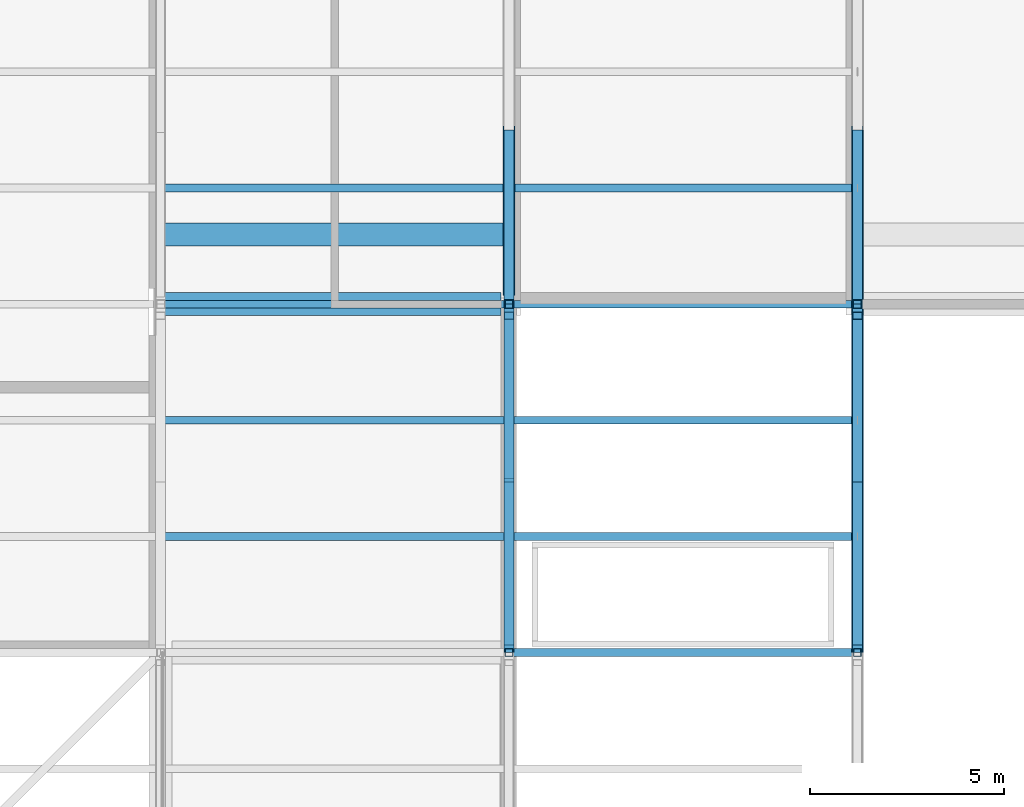
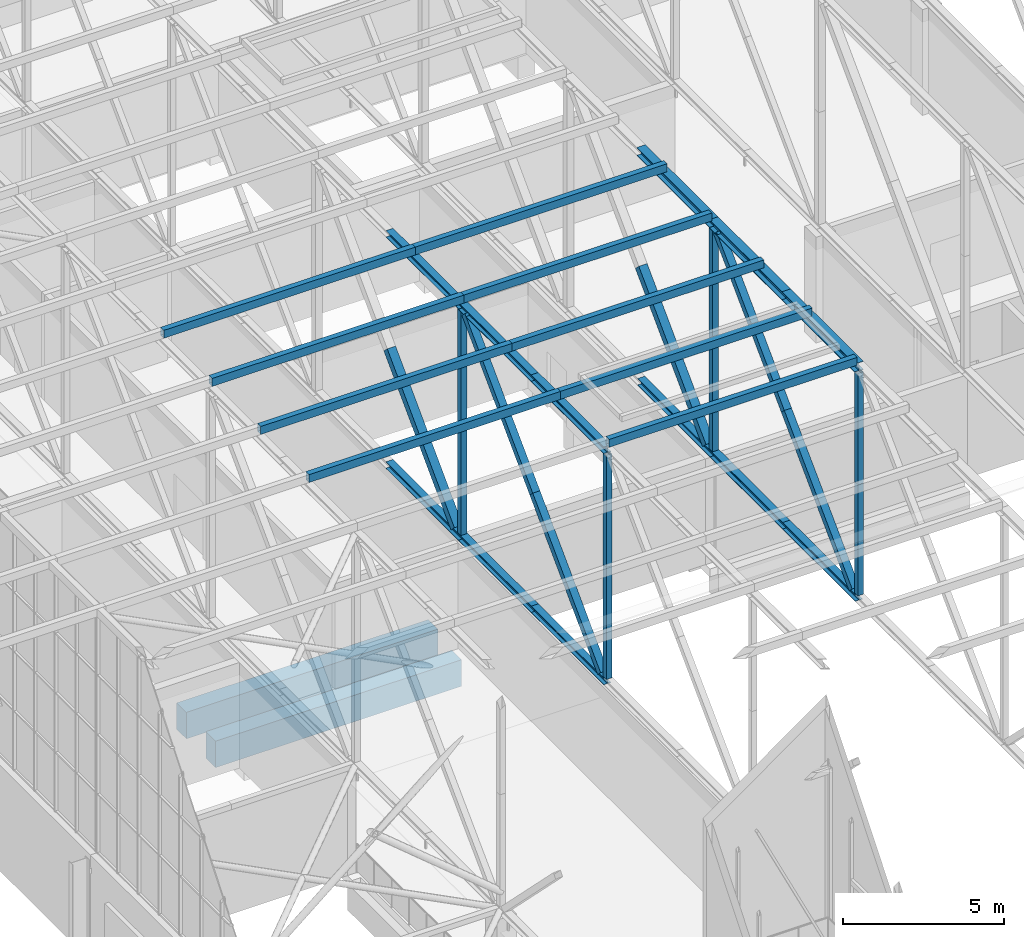
# One storey, part 55 of 646: 35 members, 2 beams.
"""IFC4 building model written with IfcOpenShell, lengths in metres."""

from ifc_helpers import new_model, si_unit, direction, frame, origin, origin_2d, place, context, subcontext, project, spatial, rectangle, hollow_rectangle, i_section, extrude, material, material_profile, profile_set, type_object, element, save


model = new_model("IFC4")

# Units and contexts
model_context = context("Model", 3, precision=1e-05, world=origin(), true_north=direction((0.0, 1.0)))
body_context = subcontext(model_context, "Body", "Model", "MODEL_VIEW")
ifc_project = project(units=[si_unit("LENGTHUNIT", "METRE"), si_unit("AREAUNIT", "SQUARE_METRE"), si_unit("VOLUMEUNIT", "CUBIC_METRE"), si_unit("PLANEANGLEUNIT", "RADIAN"), si_unit("MASSUNIT", "GRAM", prefix="KILO")], contexts=[model_context])

# Site, building, storey
site_placement = place(None, origin())
site = spatial("IfcSite", under=ifc_project, at=site_placement, CompositionType="ELEMENT")
building_placement = place(site_placement, origin())
building = spatial("IfcBuilding", under=site, at=building_placement, Name="Silverbay Arena", CompositionType="ELEMENT")
storey_placement = place(building_placement, frame((0.0, 0.0, 33.5)))
storey = spatial("IfcBuildingStorey", under=building, at=storey_placement, Name="L05", CompositionType="ELEMENT", Elevation=33.5)

# Members
ifc_material_1 = material(Name="Steel S355", Category="steel")
ifc_material_profile_1 = material_profile(ifc_material_1, i_section(OverallWidth=0.2587890625, OverallDepth=0.2666015625, WebThickness=0.0126953125, FlangeThickness=0.0205078125, at=origin_2d()), Name="UC 254x254x107")
ifc_profile_set_1 = profile_set([ifc_material_profile_1], Name="Steel S355")
member_type_1 = type_object("IfcMemberType", Name="Long-span bottom chord UC 254x254x107", PredefinedType="CHORD", material=ifc_profile_set_1)
for number, where, z_axis, x_axis, name in (
    (1, (81.0, 90.0, 4.13330078125), (0.0, 1.0, 0.0), (-1.0, 0.0, 0.0), "ROOF TRUSS 10 bottom chord 10a"),
    (2, (81.0, 94.5, 4.13330078125), (0.0, 1.0, 0.0), (-1.0, 0.0, 0.0), "ROOF TRUSS 10 bottom chord 10b"),
):
    element("IfcMember", number, at=place(storey_placement, frame(where, z_axis=z_axis, x_axis=x_axis)), inside=storey, type_object=member_type_1, Name=name, PredefinedType="CHORD", context=body_context, shape_type="SweptSolid", body=[
        extrude(i_section(OverallWidth=0.2587890625, OverallDepth=0.2666015625, WebThickness=0.0126953125, FlangeThickness=0.0205078125, at=origin_2d()), origin(), (0.0, 0.0, 1.0), 4.5),
    ])
ifc_material_2 = material(Name="Steel S355", Category="steel")
ifc_material_profile_2 = material_profile(ifc_material_2, i_section(OverallWidth=0.254638671875, OverallDepth=0.254150390625, WebThickness=0.008544921875, FlangeThickness=0.01416015625, at=origin_2d()), Name="UC 254x254x73")
ifc_profile_set_2 = profile_set([ifc_material_profile_2], Name="Steel S355")
member_type_2 = type_object("IfcMemberType", Name="Long-span bottom chord UC 254x254x73", PredefinedType="CHORD", material=ifc_profile_set_2)
member_1_placement = place(storey_placement, frame((81.0, 99.0, 4.126953125), z_axis=(0.0, 1.0, 0.0), x_axis=(-1.0, 0.0, 0.0)))
element("IfcMember", 3, at=member_1_placement, inside=storey, type_object=member_type_2, Name="ROOF TRUSS 10 bottom chord 11a", PredefinedType="CHORD", context=body_context, shape_type="SweptSolid", body=[
    extrude(i_section(OverallWidth=0.254638671875, OverallDepth=0.254150390625, WebThickness=0.008544921875, FlangeThickness=0.01416015625, at=origin_2d()), origin(), (0.0, 0.0, 1.0), 4.5),
])
ifc_material_3 = material(Name="Steel S355", Category="steel")
ifc_material_profile_3 = material_profile(ifc_material_3, i_section(OverallWidth=0.307373046875, OverallDepth=0.314453125, WebThickness=0.011962890625, FlangeThickness=0.018798828125, at=origin_2d()), Name="UC 305x305x118")
ifc_profile_set_3 = profile_set([ifc_material_profile_3], Name="Steel S355")
member_type_3 = type_object("IfcMemberType", Name="Long-span top chord UC 305x305x118", PredefinedType="CHORD", material=ifc_profile_set_3)
member_2_placement = place(storey_placement, frame((81.0, 99.0, 12.8427734375), z_axis=(0.0, 1.0, 0.0), x_axis=(-1.0, 0.0, 0.0)))
element("IfcMember", 4, at=member_2_placement, inside=storey, type_object=member_type_3, Name="ROOF TRUSS 10 top chord 11a", PredefinedType="CHORD", context=body_context, shape_type="SweptSolid", body=[
    extrude(i_section(OverallWidth=0.307373046875, OverallDepth=0.314453125, WebThickness=0.011962890625, FlangeThickness=0.018798828125, at=origin_2d()), origin(), (0.0, 0.0, 1.0), 4.5),
])
ifc_material_4 = material(Name="Steel S355", Category="steel")
ifc_material_profile_4 = material_profile(ifc_material_4, i_section(OverallWidth=0.311279296875, OverallDepth=0.3271484375, WebThickness=0.015869140625, FlangeThickness=0.02490234375, at=origin_2d()), Name="UC 305x305x158")
ifc_profile_set_4 = profile_set([ifc_material_profile_4], Name="Steel S355")
member_type_4 = type_object("IfcMemberType", Name="Long-span top chord UC 305x305x158", PredefinedType="CHORD", material=ifc_profile_set_4)
for number, where, z_axis, x_axis, name in (
    (5, (81.0, 90.0, 12.83642578125), (0.0, 1.0, 0.0), (-1.0, 0.0, 0.0), "ROOF TRUSS 10 top chord 10a"),
    (6, (81.0, 94.5, 12.83642578125), (0.0, 1.0, 0.0), (-1.0, 0.0, 0.0), "ROOF TRUSS 10 top chord 10b"),
):
    element("IfcMember", number, at=place(storey_placement, frame(where, z_axis=z_axis, x_axis=x_axis)), inside=storey, type_object=member_type_4, Name=name, PredefinedType="CHORD", context=body_context, shape_type="SweptSolid", body=[
        extrude(i_section(OverallWidth=0.311279296875, OverallDepth=0.3271484375, WebThickness=0.015869140625, FlangeThickness=0.02490234375, at=origin_2d()), origin(), (0.0, 0.0, 1.0), 4.5),
    ])
ifc_material_5 = material(Name="Steel S355", Category="steel")
ifc_material_profile_5 = material_profile(ifc_material_5, hollow_rectangle(XDim=0.260009765625, YDim=0.260009765625, WallThickness=0.010009765625, at=origin_2d()), Name="SHS 260x260x10")
ifc_profile_set_5 = profile_set([ifc_material_profile_5], Name="Steel S355")
member_type_5 = type_object("IfcMemberType", Name="Long-span truss diagonal SHS 260x260x10", PredefinedType="BRACE", material=ifc_profile_set_5)
for number, where, z_axis, x_axis, name in (
    (7, (81.0, 98.699462890625, 12.6728515625), (0.0, -0.707209440454, -0.707004107012), (1.0, 0.0, 0.0), "ROOF TRUSS 10 diagonal 10a"),
    (8, (81.0, 94.4951171875, 8.4697265625), (0.0, -0.707229966942, -0.706983573967), (1.0, 0.0, 0.0), "ROOF TRUSS 10 diagonal 10b"),
):
    element("IfcMember", number, at=place(storey_placement, frame(where, z_axis=z_axis, x_axis=x_axis)), inside=storey, type_object=member_type_5, Name=name, PredefinedType="BRACE", context=body_context, shape_type="SweptSolid", body=[
        extrude(hollow_rectangle(XDim=0.260009765625, YDim=0.260009765625, WallThickness=0.010009765625, at=origin_2d()), origin(), (0.0, 0.0, 1.0), 5.945068359375),
    ])
ifc_material_6 = material(Name="Steel S355", Category="steel")
ifc_material_profile_6 = material_profile(ifc_material_6, hollow_rectangle(XDim=0.300048828125, YDim=0.300048828125, WallThickness=0.012451171875, at=origin_2d()), Name="SHS 300x300x12.5")
ifc_profile_set_6 = profile_set([ifc_material_profile_6], Name="Steel S355")
member_type_6 = type_object("IfcMemberType", Name="Long-span truss diagonal SHS 300x300x12.5", PredefinedType="BRACE", material=ifc_profile_set_6)
member_3_placement = place(storey_placement, frame((81.0, 103.492431640625, 8.4697265625), z_axis=(0.0, -0.702663144444, -0.711522666849), x_axis=(1.0, 0.0, 0.0)))
element("IfcMember", 9, at=member_3_placement, inside=storey, type_object=member_type_6, Name="ROOF TRUSS 10 diagonal 11b", PredefinedType="BRACE", context=body_context, shape_type="SweptSolid", body=[
    extrude(hollow_rectangle(XDim=0.300048828125, YDim=0.300048828125, WallThickness=0.012451171875, at=origin_2d()), origin(), (0.0, 0.0, 1.0), 5.9248046875),
])
ifc_material_7 = material(Name="Steel S355", Category="steel")
ifc_material_profile_7 = material_profile(ifc_material_7, hollow_rectangle(XDim=0.199951171875, YDim=0.199951171875, WallThickness=0.008056640625, at=origin_2d()), Name="SHS 200x200x8")
ifc_profile_set_7 = profile_set([ifc_material_profile_7], Name="Steel S355")
member_type_7 = type_object("IfcMemberType", Name="Long-span truss vertical SHS 200x200x8", PredefinedType="STRUT", material=ifc_profile_set_7)
for number, where, z_axis, x_axis, name in (
    (10, (81.0, 90.0, 4.2666015625), (0.0, 0.0, 1.0), (1.0, 0.0, 0.0), "ROOF TRUSS 10 vertical 10a"),
    (11, (81.0, 90.0, 8.4697265625), (0.0, 0.0, 1.0), (1.0, 0.0, 0.0), "ROOF TRUSS 10 vertical 10b"),
):
    element("IfcMember", number, at=place(storey_placement, frame(where, z_axis=z_axis, x_axis=x_axis)), inside=storey, type_object=member_type_7, Name=name, PredefinedType="STRUT", context=body_context, shape_type="SweptSolid", body=[
        extrude(hollow_rectangle(XDim=0.199951171875, YDim=0.199951171875, WallThickness=0.008056640625, at=origin_2d()), origin(), (0.0, 0.0, 1.0), 4.203125),
    ])
ifc_material_8 = material(Name="Steel S355", Category="steel")
ifc_material_profile_8 = material_profile(ifc_material_8, hollow_rectangle(XDim=0.219970703125, YDim=0.219970703125, WallThickness=0.008056640625, at=origin_2d()), Name="SHS 220x220x8")
ifc_profile_set_8 = profile_set([ifc_material_profile_8], Name="Steel S355")
member_type_8 = type_object("IfcMemberType", Name="Long-span truss vertical SHS 220x220x8", PredefinedType="STRUT", material=ifc_profile_set_8)
for number, where, z_axis, x_axis, name in (
    (12, (81.0, 99.0, 4.2666015625), (0.0, 0.0, 1.0), (1.0, 0.0, 0.0), "ROOF TRUSS 10 vertical 11a"),
    (13, (81.0, 99.0, 8.4697265625), (0.0, 0.0, 1.0), (1.0, 0.0, 0.0), "ROOF TRUSS 10 vertical 11b"),
):
    element("IfcMember", number, at=place(storey_placement, frame(where, z_axis=z_axis, x_axis=x_axis)), inside=storey, type_object=member_type_8, Name=name, PredefinedType="STRUT", context=body_context, shape_type="SweptSolid", body=[
        extrude(hollow_rectangle(XDim=0.219970703125, YDim=0.219970703125, WallThickness=0.008056640625, at=origin_2d()), origin(), (0.0, 0.0, 1.0), 4.203125),
    ])
ifc_material_9 = material(Name="Steel S355", Category="steel")
ifc_material_profile_9 = material_profile(ifc_material_9, i_section(OverallWidth=0.254638671875, OverallDepth=0.254150390625, WebThickness=0.008544921875, FlangeThickness=0.01416015625, at=origin_2d()), Name="UC 254x254x73")
ifc_profile_set_9 = profile_set([ifc_material_profile_9], Name="Steel S355")
member_type_9 = type_object("IfcMemberType", Name="Medium-span bottom chord UC 254x254x73", PredefinedType="CHORD", material=ifc_profile_set_9)
for number, where, z_axis, x_axis, name in (
    (14, (72.0, 90.0, 4.126953125), (0.0, 1.0, 0.0), (-1.0, 0.0, 0.0), "ROOF TRUSS 9 bottom chord 10a"),
    (15, (72.0, 94.5, 4.126953125), (0.0, 1.0, 0.0), (-1.0, 0.0, 0.0), "ROOF TRUSS 9 bottom chord 10b"),
    (16, (72.0, 99.0, 4.126953125), (0.0, 1.0, 0.0), (-1.0, 0.0, 0.0), "ROOF TRUSS 9 bottom chord 11a"),
):
    element("IfcMember", number, at=place(storey_placement, frame(where, z_axis=z_axis, x_axis=x_axis)), inside=storey, type_object=member_type_9, Name=name, PredefinedType="CHORD", context=body_context, shape_type="SweptSolid", body=[
        extrude(i_section(OverallWidth=0.254638671875, OverallDepth=0.254150390625, WebThickness=0.008544921875, FlangeThickness=0.01416015625, at=origin_2d()), origin(), (0.0, 0.0, 1.0), 4.5),
    ])
ifc_material_10 = material(Name="Steel S355", Category="steel")
ifc_material_profile_10 = material_profile(ifc_material_10, i_section(OverallWidth=0.2587890625, OverallDepth=0.2666015625, WebThickness=0.0126953125, FlangeThickness=0.0205078125, at=origin_2d()), Name="UC 254x254x107")
ifc_profile_set_10 = profile_set([ifc_material_profile_10], Name="Steel S355")
member_type_10 = type_object("IfcMemberType", Name="Medium-span top chord UC 254x254x107", PredefinedType="CHORD", material=ifc_profile_set_10)
for number, where, z_axis, x_axis, name in (
    (17, (72.0, 90.0, 12.86669921875), (0.0, 1.0, 0.0), (-1.0, 0.0, 0.0), "ROOF TRUSS 9 top chord 10a"),
    (18, (72.0, 94.5, 12.86669921875), (0.0, 1.0, 0.0), (-1.0, 0.0, 0.0), "ROOF TRUSS 9 top chord 10b"),
):
    element("IfcMember", number, at=place(storey_placement, frame(where, z_axis=z_axis, x_axis=x_axis)), inside=storey, type_object=member_type_10, Name=name, PredefinedType="CHORD", context=body_context, shape_type="SweptSolid", body=[
        extrude(i_section(OverallWidth=0.2587890625, OverallDepth=0.2666015625, WebThickness=0.0126953125, FlangeThickness=0.0205078125, at=origin_2d()), origin(), (0.0, 0.0, 1.0), 4.5),
    ])
ifc_material_11 = material(Name="Steel S355", Category="steel")
ifc_material_profile_11 = material_profile(ifc_material_11, i_section(OverallWidth=0.254638671875, OverallDepth=0.254150390625, WebThickness=0.008544921875, FlangeThickness=0.01416015625, at=origin_2d()), Name="UC 254x254x73")
ifc_profile_set_11 = profile_set([ifc_material_profile_11], Name="Steel S355")
member_type_11 = type_object("IfcMemberType", Name="Medium-span top chord UC 254x254x73", PredefinedType="CHORD", material=ifc_profile_set_11)
member_4_placement = place(storey_placement, frame((72.0, 99.0, 12.873046875), z_axis=(0.0, 1.0, 0.0), x_axis=(-1.0, 0.0, 0.0)))
element("IfcMember", 19, at=member_4_placement, inside=storey, type_object=member_type_11, Name="ROOF TRUSS 9 top chord 11a", PredefinedType="CHORD", context=body_context, shape_type="SweptSolid", body=[
    extrude(i_section(OverallWidth=0.254638671875, OverallDepth=0.254150390625, WebThickness=0.008544921875, FlangeThickness=0.01416015625, at=origin_2d()), origin(), (0.0, 0.0, 1.0), 4.5),
])
ifc_material_12 = material(Name="Steel S355", Category="steel")
ifc_material_profile_12 = material_profile(ifc_material_12, hollow_rectangle(XDim=0.260009765625, YDim=0.260009765625, WallThickness=0.010009765625, at=origin_2d()), Name="SHS 260x260x10")
ifc_profile_set_12 = profile_set([ifc_material_profile_12], Name="Steel S355")
member_type_12 = type_object("IfcMemberType", Name="Medium-span truss diagonal SHS 260x260x10", PredefinedType="BRACE", material=ifc_profile_set_12)
for number, where, z_axis, x_axis, name in (
    (20, (72.0, 98.700439453125, 12.7333984375), (0.0, -0.704218618707, -0.709983194918), (1.0, 0.0, 0.0), "ROOF TRUSS 9 diagonal 10a"),
    (21, (72.0, 94.4951171875, 8.49365234375), (0.0, -0.704259667026, -0.709942477529), (1.0, 0.0, 0.0), "ROOF TRUSS 9 diagonal 10b"),
):
    element("IfcMember", number, at=place(storey_placement, frame(where, z_axis=z_axis, x_axis=x_axis)), inside=storey, type_object=member_type_12, Name=name, PredefinedType="BRACE", context=body_context, shape_type="SweptSolid", body=[
        extrude(hollow_rectangle(XDim=0.260009765625, YDim=0.260009765625, WallThickness=0.010009765625, at=origin_2d()), origin(), (0.0, 0.0, 1.0), 5.9716796875),
    ])
ifc_material_13 = material(Name="Steel S355", Category="steel")
ifc_material_profile_13 = material_profile(ifc_material_13, hollow_rectangle(XDim=0.300048828125, YDim=0.300048828125, WallThickness=0.012451171875, at=origin_2d()), Name="SHS 300x300x12.5")
ifc_profile_set_13 = profile_set([ifc_material_profile_13], Name="Steel S355")
member_type_13 = type_object("IfcMemberType", Name="Medium-span truss diagonal SHS 300x300x12.5", PredefinedType="BRACE", material=ifc_profile_set_13)
member_5_placement = place(storey_placement, frame((72.0, 103.492431640625, 8.5), z_axis=(0.0, -0.700176070598, -0.713970216579), x_axis=(1.0, 0.0, 0.0)))
element("IfcMember", 22, at=member_5_placement, inside=storey, type_object=member_type_13, Name="ROOF TRUSS 9 diagonal 11b", PredefinedType="BRACE", context=body_context, shape_type="SweptSolid", body=[
    extrude(hollow_rectangle(XDim=0.300048828125, YDim=0.300048828125, WallThickness=0.012451171875, at=origin_2d()), origin(), (0.0, 0.0, 1.0), 5.94677734375),
])
ifc_material_14 = material(Name="Steel S355", Category="steel")
ifc_material_profile_14 = material_profile(ifc_material_14, hollow_rectangle(XDim=0.199951171875, YDim=0.199951171875, WallThickness=0.008056640625, at=origin_2d()), Name="SHS 200x200x8")
ifc_profile_set_14 = profile_set([ifc_material_profile_14], Name="Steel S355")
member_type_14 = type_object("IfcMemberType", Name="Medium-span truss vertical SHS 200x200x8", PredefinedType="STRUT", material=ifc_profile_set_14)
member_6_placement = place(storey_placement, frame((72.0, 90.0, 4.254150390625), z_axis=(0.0, 0.0, 1.0), x_axis=(1.0, 0.0, 0.0)))
element("IfcMember", 23, at=member_6_placement, inside=storey, type_object=member_type_14, Name="ROOF TRUSS 9 vertical 10a", PredefinedType="STRUT", context=body_context, shape_type="SweptSolid", body=[
    extrude(hollow_rectangle(XDim=0.199951171875, YDim=0.199951171875, WallThickness=0.008056640625, at=origin_2d()), origin(), (0.0, 0.0, 1.0), 4.239501953125),
])
member_7_placement = place(storey_placement, frame((72.0, 90.0, 8.49365234375), z_axis=(0.0, 0.0, 1.0), x_axis=(1.0, 0.0, 0.0)))
element("IfcMember", 24, at=member_7_placement, inside=storey, type_object=member_type_14, Name="ROOF TRUSS 9 vertical 10b", PredefinedType="STRUT", context=body_context, shape_type="SweptSolid", body=[
    extrude(hollow_rectangle(XDim=0.199951171875, YDim=0.199951171875, WallThickness=0.008056640625, at=origin_2d()), origin(), (0.0, 0.0, 1.0), 4.23974609375),
])
ifc_material_15 = material(Name="Steel S355", Category="steel")
ifc_material_profile_15 = material_profile(ifc_material_15, hollow_rectangle(XDim=0.219970703125, YDim=0.219970703125, WallThickness=0.008056640625, at=origin_2d()), Name="SHS 220x220x8")
ifc_profile_set_15 = profile_set([ifc_material_profile_15], Name="Steel S355")
member_type_15 = type_object("IfcMemberType", Name="Medium-span truss vertical SHS 220x220x8", PredefinedType="STRUT", material=ifc_profile_set_15)
member_8_placement = place(storey_placement, frame((72.0, 99.0, 4.254150390625), z_axis=(0.0, 0.0, 1.0), x_axis=(1.0, 0.0, 0.0)))
element("IfcMember", 25, at=member_8_placement, inside=storey, type_object=member_type_15, Name="ROOF TRUSS 9 vertical 11a", PredefinedType="STRUT", context=body_context, shape_type="SweptSolid", body=[
    extrude(hollow_rectangle(XDim=0.219970703125, YDim=0.219970703125, WallThickness=0.008056640625, at=origin_2d()), origin(), (0.0, 0.0, 1.0), 4.239501953125),
])
member_9_placement = place(storey_placement, frame((72.0, 99.0, 8.49365234375), z_axis=(0.0, 0.0, 1.0), x_axis=(1.0, 0.0, 0.0)))
element("IfcMember", 26, at=member_9_placement, inside=storey, type_object=member_type_15, Name="ROOF TRUSS 9 vertical 11b", PredefinedType="STRUT", context=body_context, shape_type="SweptSolid", body=[
    extrude(hollow_rectangle(XDim=0.219970703125, YDim=0.219970703125, WallThickness=0.008056640625, at=origin_2d()), origin(), (0.0, 0.0, 1.0), 4.23974609375),
])
ifc_material_16 = material(Name="Steel S355", Category="steel")
ifc_material_profile_16 = material_profile(ifc_material_16, hollow_rectangle(XDim=0.199951171875, YDim=0.300048828125, WallThickness=0.00634765625, at=origin_2d()), Name="RHS 300x200x6.3")
ifc_profile_set_16 = profile_set([ifc_material_profile_16], Name="Steel S355")
member_type_16 = type_object("IfcMemberType", Name="Purlin RHS 300x200x6.3", PredefinedType="PURLIN", material=ifc_profile_set_16)
for number, where, z_axis, x_axis, name in (
    (27, (63.0, 93.0, 13.14990234375), (1.0, 0.0, 0.0), (0.0, 1.0, 0.0), "ROOF PURLIN 8-9 line 29"),
    (28, (63.0, 96.0, 13.14990234375), (1.0, 0.0, 0.0), (0.0, 1.0, 0.0), "ROOF PURLIN 8-9 line 30"),
    (29, (63.0, 99.0, 13.14990234375), (1.0, 0.0, 0.0), (0.0, 1.0, 0.0), "ROOF PURLIN 8-9 line 31"),
    (30, (63.0, 102.0, 13.14990234375), (1.0, 0.0, 0.0), (0.0, 1.0, 0.0), "ROOF PURLIN 8-9 line 32"),
):
    element("IfcMember", number, at=place(storey_placement, frame(where, z_axis=z_axis, x_axis=x_axis)), inside=storey, type_object=member_type_16, Name=name, PredefinedType="PURLIN", context=body_context, shape_type="SweptSolid", body=[
        extrude(hollow_rectangle(XDim=0.199951171875, YDim=0.300048828125, WallThickness=0.00634765625, at=origin_2d()), origin(), (0.0, 0.0, 1.0), 9.0),
    ])
member_10_placement = place(storey_placement, frame((72.0, 90.0, 13.14990234375), z_axis=(1.0, 0.0, 0.0), x_axis=(0.0, 1.0, 0.0)))
element("IfcMember", 31, at=member_10_placement, inside=storey, type_object=member_type_16, Name="ROOF PURLIN 9-10 line 28", PredefinedType="PURLIN", context=body_context, shape_type="SweptSolid", body=[
    extrude(hollow_rectangle(XDim=0.199951171875, YDim=0.300048828125, WallThickness=0.00634765625, at=origin_2d()), origin(), (0.0, 0.0, 1.0), 8.875),
])
for number, where, z_axis, x_axis, name in (
    (32, (72.0, 93.0, 13.14990234375), (1.0, 0.0, 0.0), (0.0, 1.0, 0.0), "ROOF PURLIN 9-10 line 29"),
    (33, (72.0, 96.0, 13.14990234375), (1.0, 0.0, 0.0), (0.0, 1.0, 0.0), "ROOF PURLIN 9-10 line 30"),
):
    element("IfcMember", number, at=place(storey_placement, frame(where, z_axis=z_axis, x_axis=x_axis)), inside=storey, type_object=member_type_16, Name=name, PredefinedType="PURLIN", context=body_context, shape_type="SweptSolid", body=[
        extrude(hollow_rectangle(XDim=0.199951171875, YDim=0.300048828125, WallThickness=0.00634765625, at=origin_2d()), origin(), (0.0, 0.0, 1.0), 9.0),
    ])
member_11_placement = place(storey_placement, frame((72.0, 99.0, 13.14990234375), z_axis=(1.0, 0.0, 0.0), x_axis=(0.0, 1.0, 0.0)))
element("IfcMember", 34, at=member_11_placement, inside=storey, type_object=member_type_16, Name="ROOF PURLIN 9-10 line 31", PredefinedType="PURLIN", context=body_context, shape_type="SweptSolid", body=[
    extrude(hollow_rectangle(XDim=0.199951171875, YDim=0.300048828125, WallThickness=0.00634765625, at=origin_2d()), origin(), (0.0, 0.0, 1.0), 8.875),
])
member_12_placement = place(storey_placement, frame((72.0, 102.0, 13.14990234375), z_axis=(1.0, 0.0, 0.0), x_axis=(0.0, 1.0, 0.0)))
element("IfcMember", 35, at=member_12_placement, inside=storey, type_object=member_type_16, Name="ROOF PURLIN 9-10 line 32", PredefinedType="PURLIN", context=body_context, shape_type="SweptSolid", body=[
    extrude(hollow_rectangle(XDim=0.199951171875, YDim=0.300048828125, WallThickness=0.00634765625, at=origin_2d()), origin(), (0.0, 0.0, 1.0), 9.0),
])

# Beams
ifc_material_17 = material(Name="Concrete Grade C45", Category="concrete")
ifc_material_profile_17 = material_profile(ifc_material_17, rectangle(XDim=0.60009765625, YDim=1.0, at=origin_2d()), Name="RC 600x1000")
ifc_profile_set_17 = profile_set([ifc_material_profile_17], Name="Concrete Grade C45")
beam_type = type_object("IfcBeamType", Name="RC beam 600x1000", PredefinedType="BEAM", material=ifc_profile_set_17)
beam_1_placement = place(storey_placement, frame((63.0, 99.0, -0.800048828125), z_axis=(1.0, 0.0, 0.0), x_axis=(0.0, 1.0, 0.0)))
element("IfcBeam", 36, at=beam_1_placement, inside=storey, type_object=beam_type, Name="Floor beam L05 039", PredefinedType="BEAM", context=body_context, shape_type="SweptSolid", body=[
    extrude(rectangle(XDim=0.60009765625, YDim=1.0, at=origin_2d()), origin(), (0.0, 0.0, 1.0), 8.800048828125),
])
beam_2_placement = place(storey_placement, frame((63.0, 100.800048828125, -0.800048828125), z_axis=(1.0, 0.0, 0.0), x_axis=(0.0, 1.0, 0.0)))
element("IfcBeam", 37, at=beam_2_placement, inside=storey, type_object=beam_type, Name="Floor beam L05 043", PredefinedType="BEAM", context=body_context, shape_type="SweptSolid", body=[
    extrude(rectangle(XDim=0.60009765625, YDim=1.0, at=origin_2d()), origin(), (0.0, 0.0, 1.0), 9.0),
])

save(model, "model.ifc")
